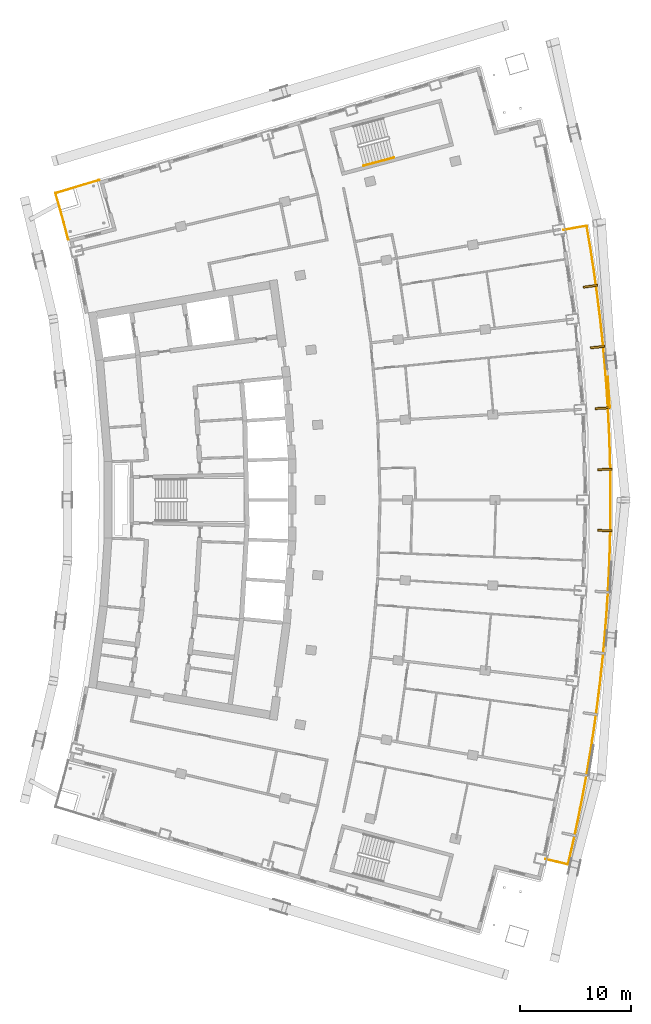
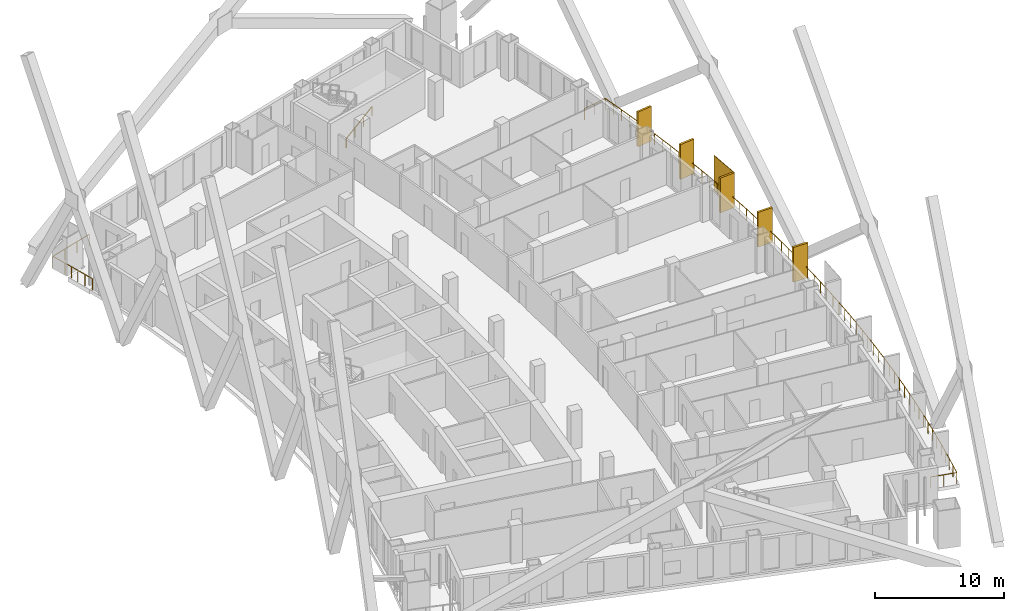
# One storey, part 21 of 22: 6 shading devices, 3 railings.
"""IFC4 building model written with IfcOpenShell, lengths in metres."""

import ifcopenshell
import ifcopenshell.guid

model = None  # the IFC model being written
_history = None  # IfcOwnerHistory: only IFC2X3 demands one
_inside = {}  # id of a spatial element -> (the spatial element, [elements in it])
_under = {}  # id of a project, library or spatial element -> (it, [spatial elements below it])
_declared = {}  # id of a project -> (the project, [libraries it declares])
_typed = {}  # id of a type object -> (the type object, [elements of that type])
_made_of = {}  # id of a material, layer set ... -> (it, [elements and type objects made of it])


def new_model(schema):
    """Start an empty IFC model of exactly this schema.

    Asked for "IFC4X3", IfcOpenShell would pick the latest addendum, in which some entities
    have other attributes; the version numbers below select the first issue.
    IFC2X3 requires an IfcOwnerHistory on every rooted entity: one is made here for all.
    """
    global model, _history
    if schema == "IFC4X3":
        model = ifcopenshell.file(schema_version=(4, 3, 0, 0))
    else:
        model = ifcopenshell.file(schema=schema)
    _inside.clear()
    _under.clear()
    _declared.clear()
    _typed.clear()
    _made_of.clear()
    _history = None
    if model.schema == "IFC2X3":
        org = make("IfcOrganization", Name="unknown")
        user = make(
            "IfcPersonAndOrganization",
            ThePerson=make("IfcPerson", FamilyName="unknown"),
            TheOrganization=org,
        )
        app = make(
            "IfcApplication",
            ApplicationDeveloper=org,
            Version="unknown",
            ApplicationFullName="unknown",
            ApplicationIdentifier="unknown",
        )
        _history = make(
            "IfcOwnerHistory",
            OwningUser=user,
            OwningApplication=app,
            ChangeAction="ADDED",
            CreationDate=0,
        )
    return model


def make(cls, **values):
    """One entity of the class cls with the attributes given. An attribute that is None is left unset."""
    return model.create_entity(
        cls, **{name: value for name, value in values.items() if value is not None}
    )


def rooted(cls, **values):
    """An entity with a GlobalId (a new one), such as an element, a storey or a relation."""
    return make(cls, GlobalId=ifcopenshell.guid.new(), OwnerHistory=_history, **values)


def si_unit(unit_type, name, prefix=None):
    """IfcSIUnit, for example si_unit("LENGTHUNIT", "METRE", prefix="MILLI")."""
    return make("IfcSIUnit", UnitType=unit_type, Prefix=prefix, Name=name)


def assignment(units):
    """IfcUnitAssignment: the units of a project."""
    return None if units is None else make("IfcUnitAssignment", Units=units)


def point(xyz):
    """IfcCartesianPoint."""
    return None if xyz is None else make("IfcCartesianPoint", Coordinates=xyz)


def direction(xyz):
    """IfcDirection."""
    return None if xyz is None else make("IfcDirection", DirectionRatios=xyz)


def frame(location, z_axis=None, x_axis=None):
    """IfcAxis2Placement3D, a coordinate frame: its origin and axes. An axis left out is left unset."""
    return make(
        "IfcAxis2Placement3D",
        Location=point(location),
        Axis=direction(z_axis),
        RefDirection=direction(x_axis),
    )


def frame_2d(location, x_axis=None):
    """IfcAxis2Placement2D, a coordinate frame in the plane: its origin and x axis."""
    return make(
        "IfcAxis2Placement2D", Location=point(location), RefDirection=direction(x_axis)
    )


def origin():
    """The frame at (0, 0, 0) with its axes left unset."""
    return frame((0.0, 0.0, 0.0))


def origin_2d():
    """The frame at (0, 0) in the plane with its x axis left unset."""
    return frame_2d((0.0, 0.0))


def place(relative_to, where):
    """IfcLocalPlacement: puts the frame where relative to a parent placement (None: the world)."""
    return make(
        "IfcLocalPlacement", PlacementRelTo=relative_to, RelativePlacement=where
    )


def context(
    kind, dimensions, precision=None, world=None, true_north=None, identifier=None
):
    """IfcGeometricRepresentationContext, for example the 3D "Model" context."""
    return make(
        "IfcGeometricRepresentationContext",
        ContextIdentifier=identifier,
        ContextType=kind,
        CoordinateSpaceDimension=dimensions,
        Precision=precision,
        WorldCoordinateSystem=world,
        TrueNorth=true_north,
    )


def subcontext(parent, identifier, kind, view, scale=None):
    """IfcGeometricRepresentationSubContext, for example "Body" below "Model"."""
    return make(
        "IfcGeometricRepresentationSubContext",
        ContextIdentifier=identifier,
        ContextType=kind,
        ParentContext=parent,
        TargetScale=scale,
        TargetView=view,
    )


def project(units=None, contexts=None):
    """IfcProject with its units and contexts."""
    return rooted(
        "IfcProject",
        Name="project",
        RepresentationContexts=contexts,
        UnitsInContext=assignment(units),
    )


def spatial(cls, under=None, at=None, **own):
    """A site, building, storey or space (cls), placed at a placement, below another one or the project."""
    s = rooted(cls, ObjectPlacement=at, **own)
    if under is not None:
        _under.setdefault(under.id(), (under, []))[1].append(s)
    return s


def profile(cls, at=None, kind="AREA", **sizes):
    """A parametric profile (cls). Its sizes go by their IFC names, for example OverallWidth=200.0."""
    return make(cls, ProfileType=kind, Position=at, **sizes)


def rectangle(**sizes):
    """IfcRectangleProfileDef."""
    return profile("IfcRectangleProfileDef", **sizes)


def extrude(swept, where, along, depth):
    """IfcExtrudedAreaSolid: the profile swept, set in the frame where, extruded along a direction by depth."""
    return make(
        "IfcExtrudedAreaSolid",
        SweptArea=swept,
        Position=where,
        ExtrudedDirection=direction(along),
        Depth=depth,
    )


def shape(context_of_items, identifier, shape_type, items):
    """IfcShapeRepresentation: the items that make up one representation, for example the "Body"."""
    return make(
        "IfcShapeRepresentation",
        ContextOfItems=context_of_items,
        RepresentationIdentifier=identifier,
        RepresentationType=shape_type,
        Items=items,
    )


def material(Name=None, Category=None):
    """IfcMaterial."""
    return make("IfcMaterial", Name=Name, Category=Category)


def layer(
    of_material, thickness, ventilated=None, Name=None, Category=None, Priority=None
):
    """IfcMaterialLayer: one layer of a wall or slab, of a material (None: an air gap)."""
    return make(
        "IfcMaterialLayer",
        Material=of_material,
        LayerThickness=thickness,
        IsVentilated=ventilated,
        Name=Name,
        Category=Category,
        Priority=Priority,
    )


def layer_set(layers, Name=None):
    """IfcMaterialLayerSet."""
    return make("IfcMaterialLayerSet", MaterialLayers=layers, LayerSetName=Name)


def made_of(thing, what):
    """Note that an element or type object is made of a material, layer set ...; save() writes the relation."""
    if what is not None:
        _made_of.setdefault(what.id(), (what, []))[1].append(thing)
    return thing


def type_object(cls, material=None, **own):
    """A type object (cls), such as IfcWallType, which elements share."""
    return made_of(rooted(cls, **own), material)


def element(
    cls,
    number,
    at=None,
    inside=None,
    cuts=None,
    type_object=None,
    material=None,
    context=None,
    identifier="Body",
    shape_type=None,
    held_by="IfcProductDefinitionShape",
    body=None,
    shapes=None,
    **own,
):
    """One element of the class cls, such as IfcWall. Its Tag is "e" and its number.

    at: its placement. inside: the storey or other place that contains it. cuts: it is an
    opening in that element (IfcRelVoidsElement). A single representation is given by context,
    identifier, shape_type and body (its items); several are given by shapes. held_by: the class
    of the entity that holds the representations. save() writes the other relations.
    """
    e = rooted(cls, Tag="e%d" % number, ObjectPlacement=at, **own)
    if body is not None:
        shapes = [shape(context, identifier, shape_type, body)]
    if shapes is not None:
        e.Representation = make(held_by, Representations=shapes)
    if inside is not None:
        _inside.setdefault(inside.id(), (inside, []))[1].append(e)
    if cuts is not None:
        rooted(
            "IfcRelVoidsElement", RelatingBuildingElement=cuts, RelatedOpeningElement=e
        )
    if type_object is not None:
        _typed.setdefault(type_object.id(), (type_object, []))[1].append(e)
    return made_of(e, material)


def aggregate(whole, parts):
    """IfcRelAggregates: a whole, such as a stair, and the parts it consists of."""
    return rooted("IfcRelAggregates", RelatingObject=whole, RelatedObjects=parts)


def save(model, path):
    """Write the relations noted so far, then the file.

    IfcRelAggregates (storeys below a building ...), IfcRelContainedInSpatialStructure (elements
    in a storey), IfcRelDefinesByType, IfcRelAssociatesMaterial and IfcRelDeclares: one each for
    every whole, place, type object, material and project.
    """
    for whole, parts in _under.values():
        aggregate(whole, parts)
    for where, things in _inside.values():
        rooted(
            "IfcRelContainedInSpatialStructure",
            RelatedElements=things,
            RelatingStructure=where,
        )
    for kind, things in _typed.values():
        rooted("IfcRelDefinesByType", RelatedObjects=things, RelatingType=kind)
    for what, things in _made_of.values():
        rooted("IfcRelAssociatesMaterial", RelatedObjects=things, RelatingMaterial=what)
    for by, libraries in _declared.values():
        rooted("IfcRelDeclares", RelatingContext=by, RelatedDefinitions=libraries)
    model.write(path)


model = new_model("IFC4")

# Units and contexts
model_context = context("Model", 3, precision=1e-05, world=origin(), true_north=direction((0.0, 1.0)))
body_context = subcontext(model_context, "Body", "Model", "MODEL_VIEW")
ifc_project = project(units=[si_unit("LENGTHUNIT", "METRE"), si_unit("AREAUNIT", "SQUARE_METRE"), si_unit("VOLUMEUNIT", "CUBIC_METRE"), si_unit("PLANEANGLEUNIT", "RADIAN"), si_unit("MASSUNIT", "GRAM", prefix="KILO")], contexts=[model_context])

# Site, building, storey
site_placement = place(None, origin())
site = spatial("IfcSite", under=ifc_project, at=site_placement, CompositionType="ELEMENT")
building_placement = place(site_placement, origin())
building = spatial("IfcBuilding", under=site, at=building_placement, Name="Alderwake Tower", CompositionType="ELEMENT")
storey_placement = place(building_placement, frame((0.0, 0.0, 160.39990234375)))
storey = spatial("IfcBuildingStorey", under=building, at=storey_placement, Name="L39", CompositionType="ELEMENT", Elevation=160.39990234375)

# Railings
ifc_material_1 = material(Name="Stainless steel 316 rail and posts", Category="steel")
railing_type_1 = type_object("IfcRailingType", Name="Balcony guard 1100", PredefinedType="GUARDRAIL", material=ifc_material_1)
railing_1_placement = place(storey_placement, frame((56.0341796875, 28.77099609375, 0.0)))
element("IfcRailing", 1, at=railing_1_placement, inside=storey, type_object=railing_type_1, Name="Guard BF03", PredefinedType="GUARDRAIL", context=body_context, shape_type="SweptSolid", body=[
    extrude(rectangle(XDim=0.048095703125, YDim=0.048095703125, at=origin_2d()), frame((0.0, 0.0, 1.076171875), z_axis=(0.973063818564, -0.230535908269, 0.0), x_axis=(0.230535908269, 0.973063818564, 0.0)), (0.0, 0.0, 1.0), 2.10009765625),
    extrude(rectangle(XDim=0.048095703125, YDim=0.048095703125, at=origin_2d()), frame((2.04345703125, -0.484130859375, 1.076171875), z_axis=(0.22376384177, 0.974643392794, 0.0), x_axis=(-0.974643392794, 0.22376384177, 0.0)), (0.0, 0.0, 1.0), 1.969482421875),
    extrude(rectangle(XDim=0.048095703125, YDim=0.048095703125, at=origin_2d()), frame((2.484130859375, 1.435302734375, 1.076171875), z_axis=(0.210004437126, 0.977700432846, 0.0), x_axis=(-0.977700432846, 0.210004437126, 0.0)), (0.0, 0.0, 1.0), 2.0693359375),
    extrude(rectangle(XDim=0.048095703125, YDim=0.048095703125, at=origin_2d()), frame((2.918701171875, 3.45849609375, 1.076171875), z_axis=(0.195594316836, 0.98068489497, 0.0), x_axis=(-0.98068489497, 0.195594316836, 0.0)), (0.0, 0.0, 1.0), 2.069580078125),
    extrude(rectangle(XDim=0.048095703125, YDim=0.048095703125, at=origin_2d()), frame((3.323486328125, 5.488037109375, 1.076171875), z_axis=(0.181210472895, 0.983444337272, 0.0), x_axis=(-0.983444337272, 0.181210472895, 0.0)), (0.0, 0.0, 1.0), 2.0693359375),
    extrude(rectangle(XDim=0.048095703125, YDim=0.048095703125, at=origin_2d()), frame((3.698486328125, 7.523193359375, 1.076171875), z_axis=(0.166943001759, 0.985966548197, 0.0), x_axis=(-0.985966548197, 0.166943001759, 0.0)), (0.0, 0.0, 1.0), 2.0693359375),
    extrude(rectangle(XDim=0.048095703125, YDim=0.048095703125, at=origin_2d()), frame((4.0439453125, 9.5634765625, 1.076171875), z_axis=(0.152562548406, 0.988293817052, 0.0), x_axis=(-0.988293817052, 0.152562548406, 0.0)), (0.0, 0.0, 1.0), 2.069091796875),
    extrude(rectangle(XDim=0.048095703125, YDim=0.048095703125, at=origin_2d()), frame((4.359619140625, 11.6083984375, 1.076171875), z_axis=(0.138018425893, 0.990429661366, 0.0), x_axis=(-0.990429661366, 0.138018425893, 0.0)), (0.0, 0.0, 1.0), 2.069580078125),
    extrude(rectangle(XDim=0.048095703125, YDim=0.048095703125, at=origin_2d()), frame((4.645263671875, 13.658203125, 1.076171875), z_axis=(0.123657146536, 0.99232500226, 0.0), x_axis=(-0.99232500226, 0.123657146536, 0.0)), (0.0, 0.0, 1.0), 2.069091796875),
    extrude(rectangle(XDim=0.048095703125, YDim=0.048095703125, at=origin_2d()), frame((4.901123046875, 15.71142578125, 1.076171875), z_axis=(0.109240237301, 0.994015377424, 0.0), x_axis=(-0.994015377424, 0.109240237301, 0.0)), (0.0, 0.0, 1.0), 2.069580078125),
    extrude(rectangle(XDim=0.048095703125, YDim=0.048095703125, at=origin_2d()), frame((5.127197265625, 17.7685546875, 1.076171875), z_axis=(0.094619793001, 0.995513482969, 0.0), x_axis=(-0.995513482969, 0.094619793001, 0.0)), (0.0, 0.0, 1.0), 2.0693359375),
    extrude(rectangle(XDim=0.048095703125, YDim=0.048095703125, at=origin_2d()), frame((5.322998046875, 19.82861328125, 1.076171875), z_axis=(0.080106274951, 0.996786328515, 0.0), x_axis=(-0.996786328515, 0.080106274951, 0.0)), (0.0, 0.0, 1.0), 2.0693359375),
    extrude(rectangle(XDim=0.048095703125, YDim=0.048095703125, at=origin_2d()), frame((5.48876953125, 21.891357421875, 1.076171875), z_axis=(0.065595005749, 0.99784632846, 0.0), x_axis=(-0.99784632846, 0.065595005749, 0.0)), (0.0, 0.0, 1.0), 2.0693359375),
    extrude(rectangle(XDim=0.048095703125, YDim=0.048095703125, at=origin_2d()), frame((5.62451171875, 23.956298828125, 1.076171875), z_axis=(0.050967340633, 0.998700320511, 0.0), x_axis=(-0.998700320511, 0.050967340633, 0.0)), (0.0, 0.0, 1.0), 2.0693359375),
    extrude(rectangle(XDim=0.048095703125, YDim=0.048095703125, at=origin_2d()), frame((5.72998046875, 26.02294921875, 1.076171875), z_axis=(0.036457447313, 0.999335206292, 0.0), x_axis=(-0.999335206292, 0.036457447313, 0.0)), (0.0, 0.0, 1.0), 2.0693359375),
    extrude(rectangle(XDim=0.048095703125, YDim=0.048095703125, at=origin_2d()), frame((5.805419921875, 28.0908203125, 1.076171875), z_axis=(0.02194420706, 0.999759196895, 0.0), x_axis=(-0.999759196895, 0.02194420706, 0.0)), (0.0, 0.0, 1.0), 2.0693359375),
    extrude(rectangle(XDim=0.048095703125, YDim=0.048095703125, at=origin_2d()), frame((5.850830078125, 30.15966796875, 1.076171875), z_axis=(0.007196604572, 0.999974104106, 0.0), x_axis=(-0.999974104106, 0.007196604572, 0.0)), (0.0, 0.0, 1.0), 2.0693359375),
    extrude(rectangle(XDim=0.048095703125, YDim=0.048095703125, at=origin_2d()), frame((5.86572265625, 32.22900390625, 1.076171875), z_axis=(-0.007196604572, 0.999974104106, 0.0), x_axis=(-0.999974104106, -0.007196604572, 0.0)), (0.0, 0.0, 1.0), 2.0693359375),
    extrude(rectangle(XDim=0.048095703125, YDim=0.048095703125, at=origin_2d()), frame((5.850830078125, 34.29833984375, 1.076171875), z_axis=(-0.02194420706, 0.999759196895, 0.0), x_axis=(-0.999759196895, -0.02194420706, 0.0)), (0.0, 0.0, 1.0), 2.0693359375),
    extrude(rectangle(XDim=0.048095703125, YDim=0.048095703125, at=origin_2d()), frame((5.805419921875, 36.3671875, 1.076171875), z_axis=(-0.036457447313, 0.999335206292, 0.0), x_axis=(-0.999335206292, -0.036457447313, 0.0)), (0.0, 0.0, 1.0), 2.0693359375),
    extrude(rectangle(XDim=0.048095703125, YDim=0.048095703125, at=origin_2d()), frame((5.72998046875, 38.43505859375, 1.076171875), z_axis=(-0.050967340633, 0.998700320511, 0.0), x_axis=(-0.998700320511, -0.050967340633, 0.0)), (0.0, 0.0, 1.0), 2.0693359375),
    extrude(rectangle(XDim=0.048095703125, YDim=0.048095703125, at=origin_2d()), frame((5.62451171875, 40.501708984375, 1.076171875), z_axis=(-0.065595005749, 0.99784632846, 0.0), x_axis=(-0.99784632846, -0.065595005749, 0.0)), (0.0, 0.0, 1.0), 2.0693359375),
    extrude(rectangle(XDim=0.048095703125, YDim=0.048095703125, at=origin_2d()), frame((5.48876953125, 42.566650390625, 1.076171875), z_axis=(-0.080106274951, 0.996786328515, 0.0), x_axis=(-0.996786328515, -0.080106274951, 0.0)), (0.0, 0.0, 1.0), 2.0693359375),
    extrude(rectangle(XDim=0.048095703125, YDim=0.048095703125, at=origin_2d()), frame((5.322998046875, 44.62939453125, 1.076171875), z_axis=(-0.094619793001, 0.995513482969, 0.0), x_axis=(-0.995513482969, -0.094619793001, 0.0)), (0.0, 0.0, 1.0), 2.0693359375),
    extrude(rectangle(XDim=0.048095703125, YDim=0.048095703125, at=origin_2d()), frame((5.127197265625, 46.689453125, 1.076171875), z_axis=(-0.109240237301, 0.994015377424, 0.0), x_axis=(-0.994015377424, -0.109240237301, 0.0)), (0.0, 0.0, 1.0), 2.069580078125),
    extrude(rectangle(XDim=0.048095703125, YDim=0.048095703125, at=origin_2d()), frame((4.901123046875, 48.74658203125, 1.076171875), z_axis=(-0.123657146536, 0.99232500226, 0.0), x_axis=(-0.99232500226, -0.123657146536, 0.0)), (0.0, 0.0, 1.0), 2.069091796875),
    extrude(rectangle(XDim=0.048095703125, YDim=0.048095703125, at=origin_2d()), frame((4.645263671875, 50.7998046875, 1.076171875), z_axis=(-0.138018425893, 0.990429661366, 0.0), x_axis=(-0.990429661366, -0.138018425893, 0.0)), (0.0, 0.0, 1.0), 2.069580078125),
    extrude(rectangle(XDim=0.048095703125, YDim=0.048095703125, at=origin_2d()), frame((4.359619140625, 52.849609375, 1.076171875), z_axis=(-0.152562548406, 0.988293817052, 0.0), x_axis=(-0.988293817052, -0.152562548406, 0.0)), (0.0, 0.0, 1.0), 2.069091796875),
    extrude(rectangle(XDim=0.048095703125, YDim=0.048095703125, at=origin_2d()), frame((4.0439453125, 54.89453125, 1.076171875), z_axis=(-0.166609853632, 0.986022898655, 0.0), x_axis=(-0.986022898655, -0.166609853632, 0.0)), (0.0, 0.0, 1.0), 1.969482421875),
    extrude(rectangle(XDim=0.048095703125, YDim=0.048095703125, at=origin_2d()), frame((3.7158203125, 56.83642578125, 1.076171875), z_axis=(-0.984860709852, -0.173347576247, 0.0), x_axis=(0.173347576247, -0.984860709852, 0.0)), (0.0, 0.0, 1.0), 2.099853515625),
    extrude(rectangle(XDim=0.0419921875, YDim=0.0419921875, at=origin_2d()), frame((0.0, 0.0, 0.0), z_axis=(0.0, 0.0, 1.0), x_axis=(0.973063818564, -0.230535908269, 0.0)), (0.0, 0.0, 1.0), 1.052001953125),
    extrude(rectangle(XDim=0.0419921875, YDim=0.0419921875, at=origin_2d()), frame((1.021728515625, -0.2421875, 0.0), z_axis=(0.0, 0.0, 1.0), x_axis=(0.973063818564, -0.230535908269, 0.0)), (0.0, 0.0, 1.0), 1.052001953125),
    extrude(rectangle(XDim=0.0419921875, YDim=0.0419921875, at=origin_2d()), frame((2.04345703125, -0.484130859375, 0.0), z_axis=(0.0, 0.0, 1.0), x_axis=(0.22376384177, 0.974643392794, 0.0)), (0.0, 0.0, 1.0), 1.052001953125),
    extrude(rectangle(XDim=0.0419921875, YDim=0.0419921875, at=origin_2d()), frame((2.263671875, 0.4755859375, 0.0), z_axis=(0.0, 0.0, 1.0), x_axis=(0.22376384177, 0.974643392794, 0.0)), (0.0, 0.0, 1.0), 1.052001953125),
    extrude(rectangle(XDim=0.0419921875, YDim=0.0419921875, at=origin_2d()), frame((2.484130859375, 1.435302734375, 0.0), z_axis=(0.0, 0.0, 1.0), x_axis=(0.210004437126, 0.977700432846, 0.0)), (0.0, 0.0, 1.0), 1.052001953125),
    extrude(rectangle(XDim=0.0419921875, YDim=0.0419921875, at=origin_2d()), frame((2.701416015625, 2.44677734375, 0.0), z_axis=(0.0, 0.0, 1.0), x_axis=(0.210004437126, 0.977700432846, 0.0)), (0.0, 0.0, 1.0), 1.052001953125),
    extrude(rectangle(XDim=0.0419921875, YDim=0.0419921875, at=origin_2d()), frame((2.918701171875, 3.45849609375, 0.0), z_axis=(0.0, 0.0, 1.0), x_axis=(0.195594316836, 0.98068489497, 0.0)), (0.0, 0.0, 1.0), 1.052001953125),
    extrude(rectangle(XDim=0.0419921875, YDim=0.0419921875, at=origin_2d()), frame((3.12109375, 4.47314453125, 0.0), z_axis=(0.0, 0.0, 1.0), x_axis=(0.195594316836, 0.98068489497, 0.0)), (0.0, 0.0, 1.0), 1.052001953125),
    extrude(rectangle(XDim=0.0419921875, YDim=0.0419921875, at=origin_2d()), frame((3.323486328125, 5.488037109375, 0.0), z_axis=(0.0, 0.0, 1.0), x_axis=(0.181210472895, 0.983444337272, 0.0)), (0.0, 0.0, 1.0), 1.052001953125),
    extrude(rectangle(XDim=0.0419921875, YDim=0.0419921875, at=origin_2d()), frame((3.510986328125, 6.505615234375, 0.0), z_axis=(0.0, 0.0, 1.0), x_axis=(0.181210472895, 0.983444337272, 0.0)), (0.0, 0.0, 1.0), 1.052001953125),
    extrude(rectangle(XDim=0.0419921875, YDim=0.0419921875, at=origin_2d()), frame((3.698486328125, 7.523193359375, 0.0), z_axis=(0.0, 0.0, 1.0), x_axis=(0.166943001759, 0.985966548197, 0.0)), (0.0, 0.0, 1.0), 1.052001953125),
    extrude(rectangle(XDim=0.0419921875, YDim=0.0419921875, at=origin_2d()), frame((3.87109375, 8.54345703125, 0.0), z_axis=(0.0, 0.0, 1.0), x_axis=(0.166943001759, 0.985966548197, 0.0)), (0.0, 0.0, 1.0), 1.052001953125),
    extrude(rectangle(XDim=0.0419921875, YDim=0.0419921875, at=origin_2d()), frame((4.0439453125, 9.5634765625, 0.0), z_axis=(0.0, 0.0, 1.0), x_axis=(0.152562548406, 0.988293817052, 0.0)), (0.0, 0.0, 1.0), 1.052001953125),
    extrude(rectangle(XDim=0.0419921875, YDim=0.0419921875, at=origin_2d()), frame((4.20166015625, 10.5859375, 0.0), z_axis=(0.0, 0.0, 1.0), x_axis=(0.152562548406, 0.988293817052, 0.0)), (0.0, 0.0, 1.0), 1.052001953125),
    extrude(rectangle(XDim=0.0419921875, YDim=0.0419921875, at=origin_2d()), frame((4.359619140625, 11.6083984375, 0.0), z_axis=(0.0, 0.0, 1.0), x_axis=(0.138018425893, 0.990429661366, 0.0)), (0.0, 0.0, 1.0), 1.052001953125),
    extrude(rectangle(XDim=0.0419921875, YDim=0.0419921875, at=origin_2d()), frame((4.50244140625, 12.63330078125, 0.0), z_axis=(0.0, 0.0, 1.0), x_axis=(0.138018425893, 0.990429661366, 0.0)), (0.0, 0.0, 1.0), 1.052001953125),
    extrude(rectangle(XDim=0.0419921875, YDim=0.0419921875, at=origin_2d()), frame((4.645263671875, 13.658203125, 0.0), z_axis=(0.0, 0.0, 1.0), x_axis=(0.123657146536, 0.99232500226, 0.0)), (0.0, 0.0, 1.0), 1.052001953125),
    extrude(rectangle(XDim=0.0419921875, YDim=0.0419921875, at=origin_2d()), frame((4.773193359375, 14.684814453125, 0.0), z_axis=(0.0, 0.0, 1.0), x_axis=(0.123657146536, 0.99232500226, 0.0)), (0.0, 0.0, 1.0), 1.052001953125),
    extrude(rectangle(XDim=0.0419921875, YDim=0.0419921875, at=origin_2d()), frame((4.901123046875, 15.71142578125, 0.0), z_axis=(0.0, 0.0, 1.0), x_axis=(0.109240237301, 0.994015377424, 0.0)), (0.0, 0.0, 1.0), 1.052001953125),
    extrude(rectangle(XDim=0.0419921875, YDim=0.0419921875, at=origin_2d()), frame((5.01416015625, 16.739990234375, 0.0), z_axis=(0.0, 0.0, 1.0), x_axis=(0.109240237301, 0.994015377424, 0.0)), (0.0, 0.0, 1.0), 1.052001953125),
    extrude(rectangle(XDim=0.0419921875, YDim=0.0419921875, at=origin_2d()), frame((5.127197265625, 17.7685546875, 0.0), z_axis=(0.0, 0.0, 1.0), x_axis=(0.094619793001, 0.995513482969, 0.0)), (0.0, 0.0, 1.0), 1.052001953125),
    extrude(rectangle(XDim=0.0419921875, YDim=0.0419921875, at=origin_2d()), frame((5.22509765625, 18.798583984375, 0.0), z_axis=(0.0, 0.0, 1.0), x_axis=(0.094619793001, 0.995513482969, 0.0)), (0.0, 0.0, 1.0), 1.052001953125),
    extrude(rectangle(XDim=0.0419921875, YDim=0.0419921875, at=origin_2d()), frame((5.322998046875, 19.82861328125, 0.0), z_axis=(0.0, 0.0, 1.0), x_axis=(0.080106274951, 0.996786328515, 0.0)), (0.0, 0.0, 1.0), 1.052001953125),
    extrude(rectangle(XDim=0.0419921875, YDim=0.0419921875, at=origin_2d()), frame((5.40576171875, 20.85986328125, 0.0), z_axis=(0.0, 0.0, 1.0), x_axis=(0.080106274951, 0.996786328515, 0.0)), (0.0, 0.0, 1.0), 1.052001953125),
    extrude(rectangle(XDim=0.0419921875, YDim=0.0419921875, at=origin_2d()), frame((5.48876953125, 21.891357421875, 0.0), z_axis=(0.0, 0.0, 1.0), x_axis=(0.065595005749, 0.99784632846, 0.0)), (0.0, 0.0, 1.0), 1.052001953125),
    extrude(rectangle(XDim=0.0419921875, YDim=0.0419921875, at=origin_2d()), frame((5.556640625, 22.923828125, 0.0), z_axis=(0.0, 0.0, 1.0), x_axis=(0.065595005749, 0.99784632846, 0.0)), (0.0, 0.0, 1.0), 1.052001953125),
    extrude(rectangle(XDim=0.0419921875, YDim=0.0419921875, at=origin_2d()), frame((5.62451171875, 23.956298828125, 0.0), z_axis=(0.0, 0.0, 1.0), x_axis=(0.050967340633, 0.998700320511, 0.0)), (0.0, 0.0, 1.0), 1.052001953125),
    extrude(rectangle(XDim=0.0419921875, YDim=0.0419921875, at=origin_2d()), frame((5.67724609375, 24.98974609375, 0.0), z_axis=(0.0, 0.0, 1.0), x_axis=(0.050967340633, 0.998700320511, 0.0)), (0.0, 0.0, 1.0), 1.052001953125),
    extrude(rectangle(XDim=0.0419921875, YDim=0.0419921875, at=origin_2d()), frame((5.72998046875, 26.02294921875, 0.0), z_axis=(0.0, 0.0, 1.0), x_axis=(0.036457447313, 0.999335206292, 0.0)), (0.0, 0.0, 1.0), 1.052001953125),
    extrude(rectangle(XDim=0.0419921875, YDim=0.0419921875, at=origin_2d()), frame((5.767578125, 27.056884765625, 0.0), z_axis=(0.0, 0.0, 1.0), x_axis=(0.036457447313, 0.999335206292, 0.0)), (0.0, 0.0, 1.0), 1.052001953125),
    extrude(rectangle(XDim=0.0419921875, YDim=0.0419921875, at=origin_2d()), frame((5.805419921875, 28.0908203125, 0.0), z_axis=(0.0, 0.0, 1.0), x_axis=(0.02194420706, 0.999759196895, 0.0)), (0.0, 0.0, 1.0), 1.052001953125),
    extrude(rectangle(XDim=0.0419921875, YDim=0.0419921875, at=origin_2d()), frame((5.828125, 29.125244140625, 0.0), z_axis=(0.0, 0.0, 1.0), x_axis=(0.02194420706, 0.999759196895, 0.0)), (0.0, 0.0, 1.0), 1.052001953125),
    extrude(rectangle(XDim=0.0419921875, YDim=0.0419921875, at=origin_2d()), frame((5.850830078125, 30.15966796875, 0.0), z_axis=(0.0, 0.0, 1.0), x_axis=(0.007196604572, 0.999974104106, 0.0)), (0.0, 0.0, 1.0), 1.052001953125),
    extrude(rectangle(XDim=0.0419921875, YDim=0.0419921875, at=origin_2d()), frame((5.8583984375, 31.1943359375, 0.0), z_axis=(0.0, 0.0, 1.0), x_axis=(0.007196604572, 0.999974104106, 0.0)), (0.0, 0.0, 1.0), 1.052001953125),
    extrude(rectangle(XDim=0.0419921875, YDim=0.0419921875, at=origin_2d()), frame((5.86572265625, 32.22900390625, 0.0), z_axis=(0.0, 0.0, 1.0), x_axis=(-0.007196604572, 0.999974104106, 0.0)), (0.0, 0.0, 1.0), 1.052001953125),
    extrude(rectangle(XDim=0.0419921875, YDim=0.0419921875, at=origin_2d()), frame((5.8583984375, 33.263671875, 0.0), z_axis=(0.0, 0.0, 1.0), x_axis=(-0.007196604572, 0.999974104106, 0.0)), (0.0, 0.0, 1.0), 1.052001953125),
    extrude(rectangle(XDim=0.0419921875, YDim=0.0419921875, at=origin_2d()), frame((5.850830078125, 34.29833984375, 0.0), z_axis=(0.0, 0.0, 1.0), x_axis=(-0.02194420706, 0.999759196895, 0.0)), (0.0, 0.0, 1.0), 1.052001953125),
    extrude(rectangle(XDim=0.0419921875, YDim=0.0419921875, at=origin_2d()), frame((5.828125, 35.332763671875, 0.0), z_axis=(0.0, 0.0, 1.0), x_axis=(-0.02194420706, 0.999759196895, 0.0)), (0.0, 0.0, 1.0), 1.052001953125),
    extrude(rectangle(XDim=0.0419921875, YDim=0.0419921875, at=origin_2d()), frame((5.805419921875, 36.3671875, 0.0), z_axis=(0.0, 0.0, 1.0), x_axis=(-0.036457447313, 0.999335206292, 0.0)), (0.0, 0.0, 1.0), 1.052001953125),
    extrude(rectangle(XDim=0.0419921875, YDim=0.0419921875, at=origin_2d()), frame((5.767578125, 37.401123046875, 0.0), z_axis=(0.0, 0.0, 1.0), x_axis=(-0.036457447313, 0.999335206292, 0.0)), (0.0, 0.0, 1.0), 1.052001953125),
    extrude(rectangle(XDim=0.0419921875, YDim=0.0419921875, at=origin_2d()), frame((5.72998046875, 38.43505859375, 0.0), z_axis=(0.0, 0.0, 1.0), x_axis=(-0.050967340633, 0.998700320511, 0.0)), (0.0, 0.0, 1.0), 1.052001953125),
    extrude(rectangle(XDim=0.0419921875, YDim=0.0419921875, at=origin_2d()), frame((5.67724609375, 39.46826171875, 0.0), z_axis=(0.0, 0.0, 1.0), x_axis=(-0.050967340633, 0.998700320511, 0.0)), (0.0, 0.0, 1.0), 1.052001953125),
    extrude(rectangle(XDim=0.0419921875, YDim=0.0419921875, at=origin_2d()), frame((5.62451171875, 40.501708984375, 0.0), z_axis=(0.0, 0.0, 1.0), x_axis=(-0.065595005749, 0.99784632846, 0.0)), (0.0, 0.0, 1.0), 1.052001953125),
    extrude(rectangle(XDim=0.0419921875, YDim=0.0419921875, at=origin_2d()), frame((5.556640625, 41.5341796875, 0.0), z_axis=(0.0, 0.0, 1.0), x_axis=(-0.065595005749, 0.99784632846, 0.0)), (0.0, 0.0, 1.0), 1.052001953125),
    extrude(rectangle(XDim=0.0419921875, YDim=0.0419921875, at=origin_2d()), frame((5.48876953125, 42.566650390625, 0.0), z_axis=(0.0, 0.0, 1.0), x_axis=(-0.080106274951, 0.996786328515, 0.0)), (0.0, 0.0, 1.0), 1.052001953125),
    extrude(rectangle(XDim=0.0419921875, YDim=0.0419921875, at=origin_2d()), frame((5.40576171875, 43.59814453125, 0.0), z_axis=(0.0, 0.0, 1.0), x_axis=(-0.080106274951, 0.996786328515, 0.0)), (0.0, 0.0, 1.0), 1.052001953125),
    extrude(rectangle(XDim=0.0419921875, YDim=0.0419921875, at=origin_2d()), frame((5.322998046875, 44.62939453125, 0.0), z_axis=(0.0, 0.0, 1.0), x_axis=(-0.094619793001, 0.995513482969, 0.0)), (0.0, 0.0, 1.0), 1.052001953125),
    extrude(rectangle(XDim=0.0419921875, YDim=0.0419921875, at=origin_2d()), frame((5.22509765625, 45.659423828125, 0.0), z_axis=(0.0, 0.0, 1.0), x_axis=(-0.094619793001, 0.995513482969, 0.0)), (0.0, 0.0, 1.0), 1.052001953125),
    extrude(rectangle(XDim=0.0419921875, YDim=0.0419921875, at=origin_2d()), frame((5.127197265625, 46.689453125, 0.0), z_axis=(0.0, 0.0, 1.0), x_axis=(-0.109240237301, 0.994015377424, 0.0)), (0.0, 0.0, 1.0), 1.052001953125),
    extrude(rectangle(XDim=0.0419921875, YDim=0.0419921875, at=origin_2d()), frame((5.01416015625, 47.718017578125, 0.0), z_axis=(0.0, 0.0, 1.0), x_axis=(-0.109240237301, 0.994015377424, 0.0)), (0.0, 0.0, 1.0), 1.052001953125),
    extrude(rectangle(XDim=0.0419921875, YDim=0.0419921875, at=origin_2d()), frame((4.901123046875, 48.74658203125, 0.0), z_axis=(0.0, 0.0, 1.0), x_axis=(-0.123657146536, 0.99232500226, 0.0)), (0.0, 0.0, 1.0), 1.052001953125),
    extrude(rectangle(XDim=0.0419921875, YDim=0.0419921875, at=origin_2d()), frame((4.773193359375, 49.773193359375, 0.0), z_axis=(0.0, 0.0, 1.0), x_axis=(-0.123657146536, 0.99232500226, 0.0)), (0.0, 0.0, 1.0), 1.052001953125),
    extrude(rectangle(XDim=0.0419921875, YDim=0.0419921875, at=origin_2d()), frame((4.645263671875, 50.7998046875, 0.0), z_axis=(0.0, 0.0, 1.0), x_axis=(-0.138018425893, 0.990429661366, 0.0)), (0.0, 0.0, 1.0), 1.052001953125),
    extrude(rectangle(XDim=0.0419921875, YDim=0.0419921875, at=origin_2d()), frame((4.50244140625, 51.82470703125, 0.0), z_axis=(0.0, 0.0, 1.0), x_axis=(-0.138018425893, 0.990429661366, 0.0)), (0.0, 0.0, 1.0), 1.052001953125),
    extrude(rectangle(XDim=0.0419921875, YDim=0.0419921875, at=origin_2d()), frame((4.359619140625, 52.849609375, 0.0), z_axis=(0.0, 0.0, 1.0), x_axis=(-0.152562548406, 0.988293817052, 0.0)), (0.0, 0.0, 1.0), 1.052001953125),
    extrude(rectangle(XDim=0.0419921875, YDim=0.0419921875, at=origin_2d()), frame((4.20166015625, 53.8720703125, 0.0), z_axis=(0.0, 0.0, 1.0), x_axis=(-0.152562548406, 0.988293817052, 0.0)), (0.0, 0.0, 1.0), 1.052001953125),
    extrude(rectangle(XDim=0.0419921875, YDim=0.0419921875, at=origin_2d()), frame((4.0439453125, 54.89453125, 0.0), z_axis=(0.0, 0.0, 1.0), x_axis=(-0.166609853632, 0.986022898655, 0.0)), (0.0, 0.0, 1.0), 1.052001953125),
    extrude(rectangle(XDim=0.0419921875, YDim=0.0419921875, at=origin_2d()), frame((3.8798828125, 55.865478515625, 0.0), z_axis=(0.0, 0.0, 1.0), x_axis=(-0.166609853632, 0.986022898655, 0.0)), (0.0, 0.0, 1.0), 1.052001953125),
    extrude(rectangle(XDim=0.0419921875, YDim=0.0419921875, at=origin_2d()), frame((3.7158203125, 56.83642578125, 0.0), z_axis=(0.0, 0.0, 1.0), x_axis=(-0.984860709852, -0.173347576247, 0.0)), (0.0, 0.0, 1.0), 1.052001953125),
    extrude(rectangle(XDim=0.0419921875, YDim=0.0419921875, at=origin_2d()), frame((2.681640625, 56.654296875, 0.0), z_axis=(0.0, 0.0, 1.0), x_axis=(-0.984860709852, -0.173347576247, 0.0)), (0.0, 0.0, 1.0), 1.052001953125),
    extrude(rectangle(XDim=0.0419921875, YDim=0.0419921875, at=origin_2d()), frame((1.647705078125, 56.472412109375, 0.0), z_axis=(0.0, 0.0, 1.0), x_axis=(-0.984860709852, -0.173347576247, 0.0)), (0.0, 0.0, 1.0), 1.052001953125),
])
railing_2_placement = place(storey_placement, frame((13.210693359375, 84.387451171875, 0.0)))
element("IfcRailing", 2, at=railing_2_placement, inside=storey, type_object=railing_type_1, Name="Guard terrace RN", PredefinedType="GUARDRAIL", context=body_context, shape_type="SweptSolid", body=[
    extrude(rectangle(XDim=0.048095703125, YDim=0.048095703125, at=origin_2d()), frame((0.0, 0.0, 1.076171875), z_axis=(-0.251385381433, 0.967887075026, 0.0), x_axis=(-0.967887075026, -0.251385381433, 0.0)), (0.0, 0.0, 1.0), 1.6015625),
    extrude(rectangle(XDim=0.048095703125, YDim=0.048095703125, at=origin_2d()), frame((-0.402587890625, 1.550048828125, 1.076171875), z_axis=(-0.266520638672, 0.963829211615, 0.0), x_axis=(-0.963829211615, -0.266520638672, 0.0)), (0.0, 0.0, 1.0), 1.401611328125),
    extrude(rectangle(XDim=0.048095703125, YDim=0.048095703125, at=origin_2d()), frame((-0.776123046875, 2.90087890625, 1.076171875), z_axis=(-0.280093650878, 0.959972680204, 0.0), x_axis=(-0.959972680204, -0.280093650878, 0.0)), (0.0, 0.0, 1.0), 1.30126953125),
    extrude(rectangle(XDim=0.048095703125, YDim=0.048095703125, at=origin_2d()), frame((-1.140625, 4.150146484375, 1.076171875), z_axis=(0.958066871889, 0.286544706789, 0.0), x_axis=(-0.286544706789, 0.958066871889, 0.0)), (0.0, 0.0, 1.0), 4.099853515625),
    extrude(rectangle(XDim=0.0419921875, YDim=0.0419921875, at=origin_2d()), frame((0.0, 0.0, 0.0), z_axis=(0.0, 0.0, 1.0), x_axis=(-0.251385381433, 0.967887075026, 0.0)), (0.0, 0.0, 1.0), 1.052001953125),
    extrude(rectangle(XDim=0.0419921875, YDim=0.0419921875, at=origin_2d()), frame((-0.201171875, 0.77490234375, 0.0), z_axis=(0.0, 0.0, 1.0), x_axis=(-0.251385381433, 0.967887075026, 0.0)), (0.0, 0.0, 1.0), 1.052001953125),
    extrude(rectangle(XDim=0.0419921875, YDim=0.0419921875, at=origin_2d()), frame((-0.402587890625, 1.550048828125, 0.0), z_axis=(0.0, 0.0, 1.0), x_axis=(-0.266520638672, 0.963829211615, 0.0)), (0.0, 0.0, 1.0), 1.052001953125),
    extrude(rectangle(XDim=0.0419921875, YDim=0.0419921875, at=origin_2d()), frame((-0.58935546875, 2.2255859375, 0.0), z_axis=(0.0, 0.0, 1.0), x_axis=(-0.266520638672, 0.963829211615, 0.0)), (0.0, 0.0, 1.0), 1.052001953125),
    extrude(rectangle(XDim=0.0419921875, YDim=0.0419921875, at=origin_2d()), frame((-0.776123046875, 2.90087890625, 0.0), z_axis=(0.0, 0.0, 1.0), x_axis=(-0.280093650878, 0.959972680204, 0.0)), (0.0, 0.0, 1.0), 1.052001953125),
    extrude(rectangle(XDim=0.0419921875, YDim=0.0419921875, at=origin_2d()), frame((-1.140625, 4.150146484375, 0.0), z_axis=(0.0, 0.0, 1.0), x_axis=(0.958066871889, 0.286544706789, 0.0)), (0.0, 0.0, 1.0), 1.052001953125),
    extrude(rectangle(XDim=0.0419921875, YDim=0.0419921875, at=origin_2d()), frame((0.168701171875, 4.541748046875, 0.0), z_axis=(0.0, 0.0, 1.0), x_axis=(0.958066871889, 0.286544706789, 0.0)), (0.0, 0.0, 1.0), 1.052001953125),
    extrude(rectangle(XDim=0.0419921875, YDim=0.0419921875, at=origin_2d()), frame((1.47802734375, 4.933349609375, 0.0), z_axis=(0.0, 0.0, 1.0), x_axis=(0.958066871889, 0.286544706789, 0.0)), (0.0, 0.0, 1.0), 1.052001953125),
    extrude(rectangle(XDim=0.0419921875, YDim=0.0419921875, at=origin_2d()), frame((2.787353515625, 5.324951171875, 0.0), z_axis=(0.0, 0.0, 1.0), x_axis=(0.958066871889, 0.286544706789, 0.0)), (0.0, 0.0, 1.0), 1.052001953125),
])

# Shading devices
ifc_material_2 = material(Name="Bronze anodised aluminium", Category="aluminium")
ifc_layer_1 = layer(ifc_material_2, 0.179931640625)
ifc_layer_set_1 = layer_set([ifc_layer_1], Name="Facade fin 1300")
shading_device_type_1 = type_object("IfcShadingDeviceType", Name="Facade fin 1300", PredefinedType="USERDEFINED", material=ifc_layer_set_1)
for number, where, z_axis, x_axis, name in (
    (3, (61.373291015625, 58.257080078125, 0.0), (0.0, 0.0, 1.0), (0.999811838809, -0.019398117887, 0.0), "Fin"),
    (4, (61.373291015625, 63.742919921875, 0.0), (0.0, 0.0, 1.0), (0.999811838809, 0.019398117887, 0.0), "Fin"),
    (5, (61.159912109375, 69.239013671875, 0.0), (0.0, 0.0, 1.0), (0.998301080988, 0.058266214038, 0.0), "Fin"),
    (6, (60.732666015625, 74.722412109375, 0.0), (0.0, 0.0, 1.0), (0.995279882363, 0.097046152751, 0.0), "Fin"),
    (7, (60.09228515625, 80.185302734375, 0.0), (0.0, 0.0, 1.0), (0.990752577235, 0.135680988728, 0.0), "Fin"),
):
    element("IfcShadingDevice", number, at=place(storey_placement, frame(where, z_axis=z_axis, x_axis=x_axis)), inside=storey, type_object=shading_device_type_1, Name=name, ObjectType="FIN", PredefinedType="USERDEFINED", context=body_context, shape_type="SweptSolid", body=[
        extrude(rectangle(XDim=1.300048828125, YDim=0.179931640625, at=origin_2d()), origin(), (0.0, 0.0, 1.0), 3.280029296875),
    ])
ifc_material_3 = material(Name="Perforated bronze anodised aluminium", Category="aluminium")
ifc_layer_2 = layer(ifc_material_3, 0.050048828125)
ifc_layer_set_2 = layer_set([ifc_layer_2], Name="Perforated screen panel")
shading_device_type_2 = type_object("IfcShadingDeviceType", Name="Perforated screen panel", PredefinedType="USERDEFINED", material=ifc_layer_set_2)
shading_device_placement = place(storey_placement, frame((61.739501953125, 70.660400390625, 0.0), z_axis=(0.0, 0.0, 1.0), x_axis=(0.997685465774, 0.067997877779, 0.0)))
element("IfcShadingDevice", 8, at=shading_device_placement, inside=storey, type_object=shading_device_type_2, Name="Screen panel", ObjectType="SCREEN", PredefinedType="USERDEFINED", context=body_context, shape_type="SweptSolid", body=[
    extrude(rectangle(XDim=0.050048828125, YDim=2.7705078125, at=origin_2d()), origin(), (0.0, 0.0, 1.0), 3.280029296875),
])

# Railing
ifc_material_4 = material(Name="Stainless steel handrail", Category="steel")
railing_type_2 = type_object("IfcRailingType", Name="Stair handrail 900", PredefinedType="HANDRAIL", material=ifc_material_4)
railing_3_placement = place(storey_placement, frame((39.731689453125, 91.002685546875, 0.163818359375)))
element("IfcRailing", 9, at=railing_3_placement, inside=storey, type_object=railing_type_2, Name="L39 ST-A stair handrail 1", PredefinedType="HANDRAIL", context=body_context, shape_type="SweptSolid", body=[
    extrude(rectangle(XDim=0.048095703125, YDim=0.048095703125, at=origin_2d()), frame((0.0, 0.0, 0.8759765625), z_axis=(0.834290631165, 0.222236594766, 0.504549342183), x_axis=(-0.257402139082, 0.966304371715, 0.0)), (0.0, 0.0, 1.0), 3.242919921875),
    extrude(rectangle(XDim=0.0419921875, YDim=0.0419921875, at=origin_2d()), frame((0.0, 0.0, 0.0), z_axis=(0.0, 0.0, 1.0), x_axis=(0.966304371715, 0.257402139082, 0.0)), (0.0, 0.0, 1.0), 0.851806640625),
    extrude(rectangle(XDim=0.0419921875, YDim=0.0419921875, at=origin_2d()), frame((0.90185546875, 0.240234375, 0.54541015625), z_axis=(0.0, 0.0, 1.0), x_axis=(0.966304371715, 0.257402139082, 0.0)), (0.0, 0.0, 1.0), 0.851806640625),
    extrude(rectangle(XDim=0.0419921875, YDim=0.0419921875, at=origin_2d()), frame((1.8037109375, 0.48046875, 1.0908203125), z_axis=(0.0, 0.0, 1.0), x_axis=(0.966304371715, 0.257402139082, 0.0)), (0.0, 0.0, 1.0), 0.851806640625),
    extrude(rectangle(XDim=0.0419921875, YDim=0.0419921875, at=origin_2d()), frame((2.70556640625, 0.720703125, 1.63623046875), z_axis=(0.0, 0.0, 1.0), x_axis=(0.966304371715, 0.257402139082, 0.0)), (0.0, 0.0, 1.0), 0.851806640625),
])

save(model, "model.ifc")
